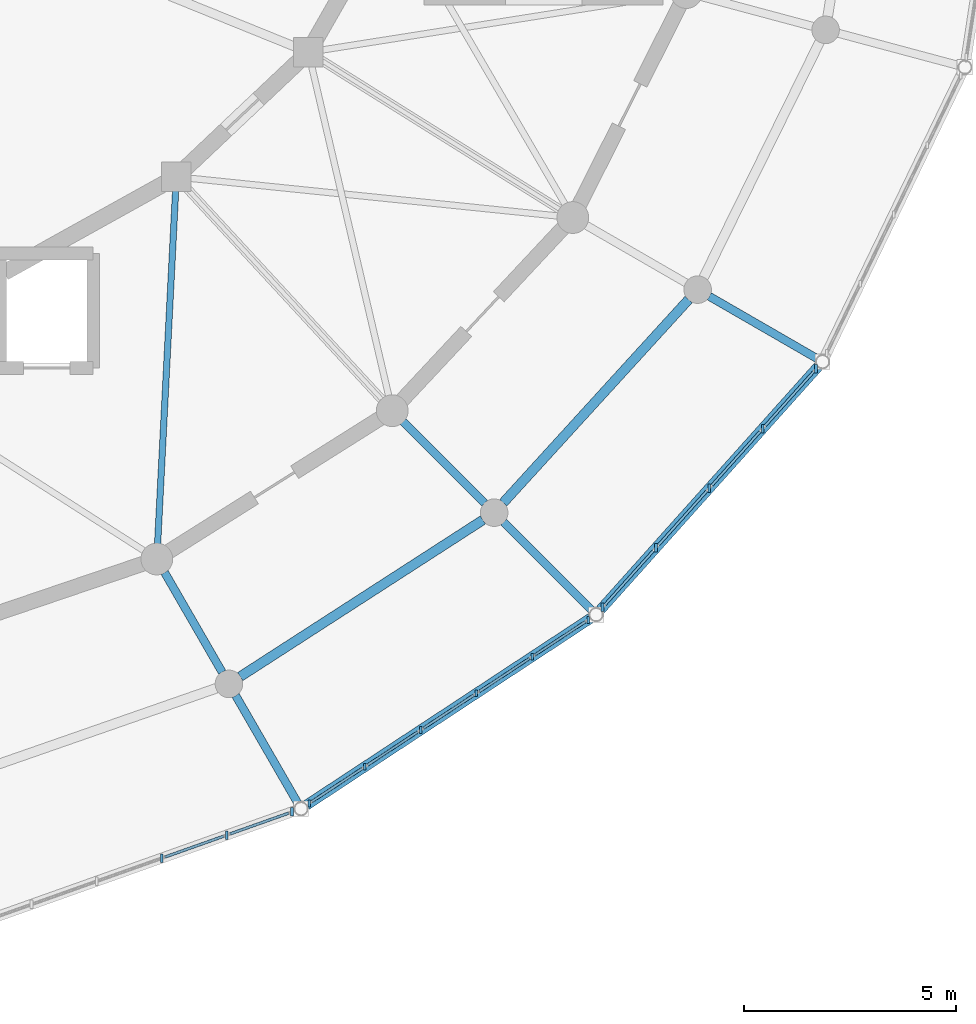
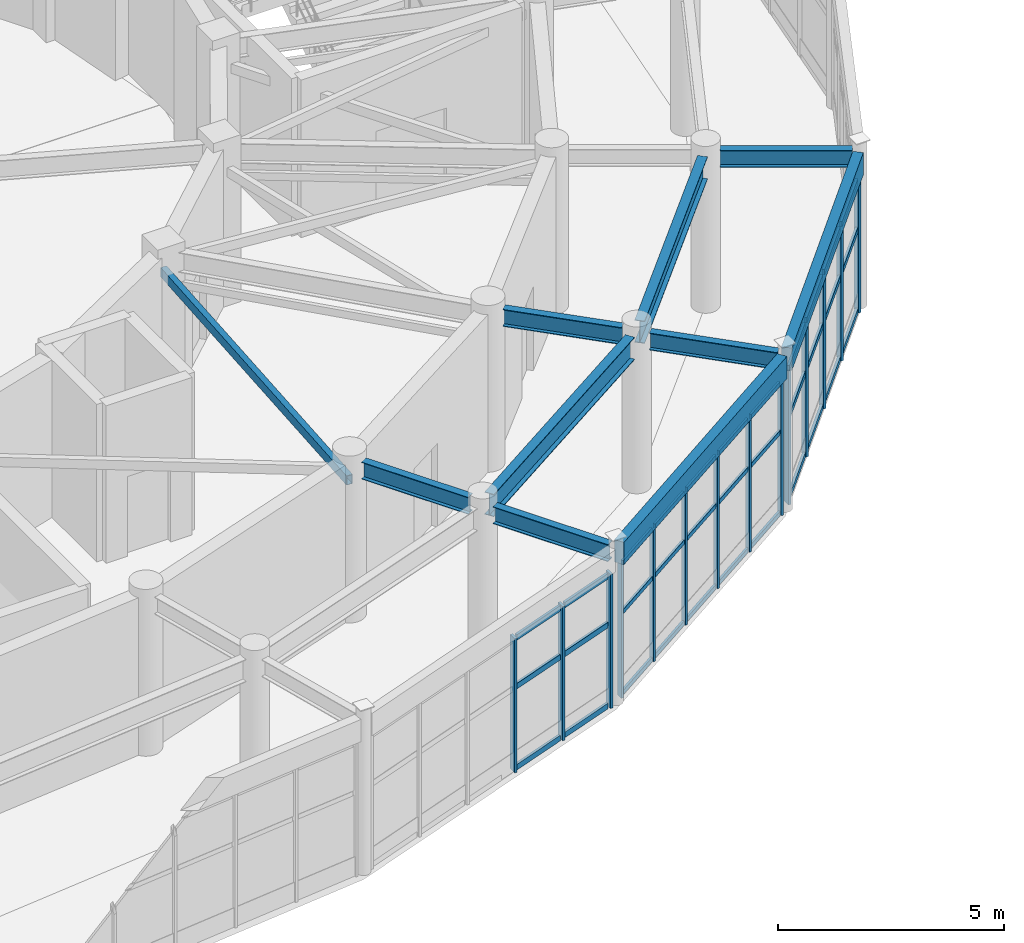
# One storey, part 26 of 60: 48 members, 9 beams, 3 elements without a shape of their own.
"""IFC4 building model written with IfcOpenShell, lengths in metres."""

from ifc_helpers import new_model, si_unit, direction, frame, origin, origin_2d, place, context, subcontext, project, spatial, rectangle, hollow_rectangle, i_section, extrude, material, material_profile, profile_set, type_object, element, aggregate, save


model = new_model("IFC4")

# Units and contexts
model_context = context("Model", 3, precision=1e-05, world=origin(), true_north=direction((0.0, 1.0)))
body_context = subcontext(model_context, "Body", "Model", "MODEL_VIEW")
ifc_project = project(units=[si_unit("LENGTHUNIT", "METRE"), si_unit("AREAUNIT", "SQUARE_METRE"), si_unit("VOLUMEUNIT", "CUBIC_METRE"), si_unit("PLANEANGLEUNIT", "RADIAN"), si_unit("MASSUNIT", "GRAM", prefix="KILO")], contexts=[model_context])

# Site, building, storey
site_placement = place(None, origin())
site = spatial("IfcSite", under=ifc_project, at=site_placement, CompositionType="ELEMENT")
building_placement = place(site_placement, origin())
building = spatial("IfcBuilding", under=site, at=building_placement, Name="Cinderbank Siding Concert Hall", CompositionType="ELEMENT")
storey_placement = place(building_placement, frame((0.0, 0.0, 14.699951171875)))
storey = spatial("IfcBuildingStorey", under=building, at=storey_placement, Name="L04", CompositionType="ELEMENT", Elevation=14.699951171875)

# Beams
ifc_material_1 = material(Name="Structural steel AS/NZS 3679.1 Grade 350 (340 MPa)", Category="steel")
ifc_material_profile_1 = material_profile(ifc_material_1, i_section(OverallWidth=0.19091796875, OverallDepth=0.46044921875, WebThickness=0.010009765625, FlangeThickness=0.01611328125, at=origin_2d()), Name="460UB82.1", Category="LoadBearing")
ifc_profile_set_1 = profile_set([ifc_material_profile_1], Name="Structural steel AS/NZS 3679.1 Grade 350 (340 MPa)")
beam_type_1 = type_object("IfcBeamType", Name="BM-UB460H 460UB82.1", PredefinedType="BEAM", material=ifc_profile_set_1)
beam_1_placement = place(storey_placement, frame((135.58349609375, 24.629638671875, 4.03173828125), z_axis=(0.499987022033, -0.866032896488, 0.0), x_axis=(0.866032896488, 0.499987022033, 0.0)))
element("IfcBeam", 1, at=beam_1_placement, inside=storey, type_object=beam_type_1, Name="L04 Beam BM-UB460H #730", PredefinedType="BEAM", context=body_context, shape_type="SweptSolid", body=[
    extrude(i_section(OverallWidth=0.19091796875, OverallDepth=0.46044921875, WebThickness=0.010009765625, FlangeThickness=0.01611328125, at=origin_2d()), origin(), (0.0, 0.0, 1.0), 2.7158203125),
])
beam_2_placement = place(storey_placement, frame((141.2099609375, 28.18408203125, 4.03173828125), z_axis=(0.707151723938, -0.707061835578, 0.0), x_axis=(0.707061835578, 0.707151723938, 0.0)))
element("IfcBeam", 2, at=beam_2_placement, inside=storey, type_object=beam_type_1, Name="L04 Beam BM-UB460H #731", PredefinedType="BEAM", context=body_context, shape_type="SweptSolid", body=[
    extrude(i_section(OverallWidth=0.19091796875, OverallDepth=0.46044921875, WebThickness=0.010009765625, FlangeThickness=0.01611328125, at=origin_2d()), origin(), (0.0, 0.0, 1.0), 2.716064453125),
])
for number, where, z_axis, x_axis, name in (
    (3, (137.258544921875, 21.728515625, 4.001953125), (0.499958157915, -0.866049559976, 0.0), (0.866049559976, 0.499958157915, 0.0), "L04 Beam BM-UB460H #755"),
    (4, (143.578857421875, 25.815185546875, 4.001953125), (0.707106781187, -0.707106781187, 0.0), (0.707106781187, 0.707106781187, 0.0), "L04 Beam BM-UB460H #756"),
):
    element("IfcBeam", number, at=place(storey_placement, frame(where, z_axis=z_axis, x_axis=x_axis)), inside=storey, type_object=beam_type_1, Name=name, PredefinedType="BEAM", context=body_context, shape_type="SweptSolid", body=[
        extrude(i_section(OverallWidth=0.19091796875, OverallDepth=0.46044921875, WebThickness=0.010009765625, FlangeThickness=0.01611328125, at=origin_2d()), origin(), (0.0, 0.0, 1.0), 2.928955078125),
    ])
beam_3_placement = place(storey_placement, frame((148.428466796875, 31.1416015625, 4.001953125), z_axis=(0.866013467834, -0.500020673103, 0.0), x_axis=(0.500020673103, 0.866013467834, 0.0)))
element("IfcBeam", 5, at=beam_3_placement, inside=storey, type_object=beam_type_1, Name="L04 Beam BM-UB460H #757", PredefinedType="BEAM", context=body_context, shape_type="SweptSolid", body=[
    extrude(i_section(OverallWidth=0.19091796875, OverallDepth=0.46044921875, WebThickness=0.010009765625, FlangeThickness=0.01611328125, at=origin_2d()), origin(), (0.0, 0.0, 1.0), 2.92919921875),
])
ifc_material_profile_2 = material_profile(ifc_material_1, i_section(OverallWidth=0.22802734375, OverallDepth=0.60693359375, WebThickness=0.01123046875, FlangeThickness=0.017333984375, at=origin_2d()), Name="610UB113", Category="LoadBearing")
ifc_profile_set_2 = profile_set([ifc_material_profile_2], Name="Structural steel AS/NZS 3679.1 Grade 350 (340 MPa)")
beam_type_2 = type_object("IfcBeamType", Name="BM-UB610M 610UB113", PredefinedType="BEAM", material=ifc_profile_set_2)
beam_4_placement = place(storey_placement, frame((137.3662109375, 22.1748046875, 3.928466796875), z_axis=(0.840219727246, 0.542246078775, 0.0), x_axis=(-0.542246078775, 0.840219727246, 0.0)))
element("IfcBeam", 6, at=beam_4_placement, inside=storey, type_object=beam_type_2, Name="L04 Beam BM-UB610M #672", PredefinedType="BEAM", context=body_context, shape_type="SweptSolid", body=[
    extrude(i_section(OverallWidth=0.22802734375, OverallDepth=0.60693359375, WebThickness=0.01123046875, FlangeThickness=0.017333984375, at=origin_2d()), origin(), (0.0, 0.0, 1.0), 6.810302734375),
])
beam_5_placement = place(storey_placement, frame((143.568359375, 26.273681640625, 3.928466796875), z_axis=(0.67395874418, 0.73876898361, 0.0), x_axis=(-0.73876898361, 0.67395874418, 0.0)))
element("IfcBeam", 7, at=beam_5_placement, inside=storey, type_object=beam_type_2, Name="L04 Beam BM-UB610M #673", PredefinedType="BEAM", context=body_context, shape_type="SweptSolid", body=[
    extrude(i_section(OverallWidth=0.22802734375, OverallDepth=0.60693359375, WebThickness=0.01123046875, FlangeThickness=0.017333984375, at=origin_2d()), origin(), (0.0, 0.0, 1.0), 6.48681640625),
])

# Curtain wall, members
ifc_material_2 = material(Name="Anodised aluminium alloy 6063-T6", Category="aluminium")
curtain_wall_type_1 = type_object("IfcCurtainWallType", Name="CW-09 Unitised Acoustic Curtain Wall 8000x3500", PredefinedType="NOTDEFINED", material=ifc_material_2)
curtain_wall_1_placement = place(storey_placement, origin())
curtain_wall_1 = element("IfcCurtainWall", 8, at=curtain_wall_1_placement, inside=storey, type_object=curtain_wall_type_1, Name="L04 Curtain Wall CW-09 #68", PredefinedType="NOTDEFINED")
ifc_material_profile_3 = material_profile(ifc_material_2, rectangle(XDim=0.06005859375, YDim=0.159912109375, at=origin_2d()), Name="ALU-MULL-60x160", Category="LoadBearing")
ifc_profile_set_3 = profile_set([ifc_material_profile_3], Name="Anodised aluminium alloy 6063-T6")
member_type_1 = type_object("IfcMemberType", Name="CW-ML1 Mullion 60x160", PredefinedType="MULLION", material=ifc_profile_set_3)
member_1_placement = place(storey_placement, frame((138.989501953125, 19.18310546875, 0.0), z_axis=(0.0, 0.0, 1.0), x_axis=(1.0, 0.0, 0.0)))
member_1 = element("IfcMember", 9, at=member_1_placement, type_object=member_type_1, Name="CW-L04-068 Mullion 0", PredefinedType="MULLION", context=body_context, shape_type="SweptSolid", body=[
    extrude(rectangle(XDim=0.06005859375, YDim=0.159912109375, at=origin_2d()), origin(), (0.0, 0.0, 1.0), 3.616943359375),
])
member_2_placement = place(storey_placement, frame((140.305419921875, 20.048583984375, 0.0), z_axis=(0.0, 0.0, 1.0), x_axis=(1.0, 0.0, 0.0)))
member_2 = element("IfcMember", 10, at=member_2_placement, type_object=member_type_1, Name="CW-L04-068 Mullion 1", PredefinedType="MULLION", context=body_context, shape_type="SweptSolid", body=[
    extrude(rectangle(XDim=0.06005859375, YDim=0.159912109375, at=origin_2d()), origin(), (0.0, 0.0, 1.0), 3.616943359375),
])
member_3_placement = place(storey_placement, frame((141.621337890625, 20.914306640625, 0.0), z_axis=(0.0, 0.0, 1.0), x_axis=(1.0, 0.0, 0.0)))
member_3 = element("IfcMember", 11, at=member_3_placement, type_object=member_type_1, Name="CW-L04-068 Mullion 2", PredefinedType="MULLION", context=body_context, shape_type="SweptSolid", body=[
    extrude(rectangle(XDim=0.06005859375, YDim=0.159912109375, at=origin_2d()), origin(), (0.0, 0.0, 1.0), 3.616943359375),
])
member_4_placement = place(storey_placement, frame((142.9375, 21.779541015625, 0.0), z_axis=(0.0, 0.0, 1.0), x_axis=(1.0, 0.0, 0.0)))
member_4 = element("IfcMember", 12, at=member_4_placement, type_object=member_type_1, Name="CW-L04-068 Mullion 3", PredefinedType="MULLION", context=body_context, shape_type="SweptSolid", body=[
    extrude(rectangle(XDim=0.06005859375, YDim=0.159912109375, at=origin_2d()), origin(), (0.0, 0.0, 1.0), 3.616943359375),
])
member_5_placement = place(storey_placement, frame((144.25341796875, 22.64501953125, 0.0), z_axis=(0.0, 0.0, 1.0), x_axis=(1.0, 0.0, 0.0)))
member_5 = element("IfcMember", 13, at=member_5_placement, type_object=member_type_1, Name="CW-L04-068 Mullion 4", PredefinedType="MULLION", context=body_context, shape_type="SweptSolid", body=[
    extrude(rectangle(XDim=0.06005859375, YDim=0.159912109375, at=origin_2d()), origin(), (0.0, 0.0, 1.0), 3.616943359375),
])
member_6_placement = place(storey_placement, frame((145.569091796875, 23.510498046875, 0.0), z_axis=(0.0, 0.0, 1.0), x_axis=(1.0, 0.0, 0.0)))
member_6 = element("IfcMember", 14, at=member_6_placement, type_object=member_type_1, Name="CW-L04-068 Mullion 5", PredefinedType="MULLION", context=body_context, shape_type="SweptSolid", body=[
    extrude(rectangle(XDim=0.06005859375, YDim=0.159912109375, at=origin_2d()), origin(), (0.0, 0.0, 1.0), 3.616943359375),
])

curtain_wall_type_2 = type_object("IfcCurtainWallType", Name="CW-08 Unitised Acoustic Curtain Wall 6400x3800", PredefinedType="NOTDEFINED", material=ifc_material_2)
curtain_wall_2_placement = place(storey_placement, origin())
curtain_wall_2 = element("IfcCurtainWall", 15, at=curtain_wall_2_placement, inside=storey, type_object=curtain_wall_type_2, Name="L04 Curtain Wall CW-08 #67", PredefinedType="NOTDEFINED")
ifc_material_profile_4 = material_profile(ifc_material_2, rectangle(XDim=0.06494140625, YDim=0.199951171875, at=origin_2d()), Name="ALU-MULL-65x200", Category="LoadBearing")
ifc_profile_set_4 = profile_set([ifc_material_profile_4], Name="Anodised aluminium alloy 6063-T6")
member_type_2 = type_object("IfcMemberType", Name="CW-ML2 Mullion 65x200", PredefinedType="MULLION", material=ifc_profile_set_4)
member_7_placement = place(storey_placement, frame((135.515625, 17.892333984375, 0.0), z_axis=(0.0, 0.0, 1.0), x_axis=(1.0, 0.0, 0.0)))
member_7 = element("IfcMember", 16, at=member_7_placement, type_object=member_type_2, Name="CW-L04-067 Mullion 3", PredefinedType="MULLION", context=body_context, shape_type="SweptSolid", body=[
    extrude(rectangle(XDim=0.06494140625, YDim=0.199951171875, at=origin_2d()), origin(), (0.0, 0.0, 1.0), 3.616943359375),
])
member_8_placement = place(storey_placement, frame((137.05078125, 18.4375, 0.0), z_axis=(0.0, 0.0, 1.0), x_axis=(1.0, 0.0, 0.0)))
member_8 = element("IfcMember", 17, at=member_8_placement, type_object=member_type_2, Name="CW-L04-067 Mullion 4", PredefinedType="MULLION", context=body_context, shape_type="SweptSolid", body=[
    extrude(rectangle(XDim=0.06494140625, YDim=0.199951171875, at=origin_2d()), origin(), (0.0, 0.0, 1.0), 3.616943359375),
])
member_9_placement = place(storey_placement, frame((138.586181640625, 18.982666015625, 0.0), z_axis=(0.0, 0.0, 1.0), x_axis=(1.0, 0.0, 0.0)))
member_9 = element("IfcMember", 18, at=member_9_placement, type_object=member_type_2, Name="CW-L04-067 Mullion 5", PredefinedType="MULLION", context=body_context, shape_type="SweptSolid", body=[
    extrude(rectangle(XDim=0.06494140625, YDim=0.199951171875, at=origin_2d()), origin(), (0.0, 0.0, 1.0), 3.616943359375),
])

curtain_wall_type_3 = type_object("IfcCurtainWallType", Name="CW-10 Unitised Acoustic Curtain Wall 7200x3500", PredefinedType="NOTDEFINED", material=ifc_material_2)
curtain_wall_3_placement = place(storey_placement, origin())
curtain_wall_3 = element("IfcCurtainWall", 19, at=curtain_wall_3_placement, inside=storey, type_object=curtain_wall_type_3, Name="L04 Curtain Wall CW-10 #69", PredefinedType="NOTDEFINED")
member_10_placement = place(storey_placement, frame((145.91015625, 23.804443359375, 0.0), z_axis=(0.0, 0.0, 1.0), x_axis=(1.0, 0.0, 0.0)))
member_10 = element("IfcMember", 20, at=member_10_placement, type_object=member_type_2, Name="CW-L04-069 Mullion 0", PredefinedType="MULLION", context=body_context, shape_type="SweptSolid", body=[
    extrude(rectangle(XDim=0.06494140625, YDim=0.199951171875, at=origin_2d()), origin(), (0.0, 0.0, 1.0), 3.616943359375),
])
member_11_placement = place(storey_placement, frame((147.16943359375, 25.2109375, 0.0), z_axis=(0.0, 0.0, 1.0), x_axis=(1.0, 0.0, 0.0)))
member_11 = element("IfcMember", 21, at=member_11_placement, type_object=member_type_2, Name="CW-L04-069 Mullion 1", PredefinedType="MULLION", context=body_context, shape_type="SweptSolid", body=[
    extrude(rectangle(XDim=0.06494140625, YDim=0.199951171875, at=origin_2d()), origin(), (0.0, 0.0, 1.0), 3.616943359375),
])
member_12_placement = place(storey_placement, frame((148.4287109375, 26.61767578125, 0.0), z_axis=(0.0, 0.0, 1.0), x_axis=(1.0, 0.0, 0.0)))
member_12 = element("IfcMember", 22, at=member_12_placement, type_object=member_type_2, Name="CW-L04-069 Mullion 2", PredefinedType="MULLION", context=body_context, shape_type="SweptSolid", body=[
    extrude(rectangle(XDim=0.06494140625, YDim=0.199951171875, at=origin_2d()), origin(), (0.0, 0.0, 1.0), 3.616943359375),
])
member_13_placement = place(storey_placement, frame((149.68798828125, 28.0244140625, 0.0), z_axis=(0.0, 0.0, 1.0), x_axis=(1.0, 0.0, 0.0)))
member_13 = element("IfcMember", 23, at=member_13_placement, type_object=member_type_2, Name="CW-L04-069 Mullion 3", PredefinedType="MULLION", context=body_context, shape_type="SweptSolid", body=[
    extrude(rectangle(XDim=0.06494140625, YDim=0.199951171875, at=origin_2d()), origin(), (0.0, 0.0, 1.0), 3.616943359375),
])
member_14_placement = place(storey_placement, frame((150.947021484375, 29.430908203125, 0.0), z_axis=(0.0, 0.0, 1.0), x_axis=(1.0, 0.0, 0.0)))
member_14 = element("IfcMember", 24, at=member_14_placement, type_object=member_type_2, Name="CW-L04-069 Mullion 4", PredefinedType="MULLION", context=body_context, shape_type="SweptSolid", body=[
    extrude(rectangle(XDim=0.06494140625, YDim=0.199951171875, at=origin_2d()), origin(), (0.0, 0.0, 1.0), 3.616943359375),
])

# Member
ifc_material_profile_5 = material_profile(ifc_material_2, rectangle(XDim=0.06005859375, YDim=0.1201171875, at=origin_2d()), Name="ALU-TRAN-60x120", Category="LoadBearing")
ifc_profile_set_5 = profile_set([ifc_material_profile_5], Name="Anodised aluminium alloy 6063-T6")
member_type_3 = type_object("IfcMemberType", Name="CW-TR1 Transom 60x120", PredefinedType="USERDEFINED", material=ifc_profile_set_5)
member_15_placement = place(storey_placement, frame((139.055419921875, 19.2265625, 0.06005859375), z_axis=(0.835531529407, 0.549442502331, 0.0), x_axis=(-0.549442502331, 0.835531529407, 0.0)))
member_15 = element("IfcMember", 25, at=member_15_placement, type_object=member_type_3, Name="CW-L04-068 Transom 0-0", ObjectType="TRANSOM", PredefinedType="USERDEFINED", context=body_context, shape_type="SweptSolid", body=[
    extrude(rectangle(XDim=0.06005859375, YDim=0.1201171875, at=origin_2d()), origin(), (0.0, 0.0, 1.0), 1.41748046875),
])

member_16_placement = place(storey_placement, frame((139.055419921875, 19.2265625, 2.242431640625), z_axis=(0.835531529407, 0.549442502331, 0.0), x_axis=(-0.549442502331, 0.835531529407, 0.0)))
member_16 = element("IfcMember", 26, at=member_16_placement, type_object=member_type_3, Name="CW-L04-068 Transom 0-1", ObjectType="TRANSOM", PredefinedType="USERDEFINED", context=body_context, shape_type="SweptSolid", body=[
    extrude(rectangle(XDim=0.06005859375, YDim=0.1201171875, at=origin_2d()), origin(), (0.0, 0.0, 1.0), 1.41748046875),
])

member_17_placement = place(storey_placement, frame((139.055419921875, 19.2265625, 3.55712890625), z_axis=(0.835531529407, 0.549442502331, 0.0), x_axis=(-0.549442502331, 0.835531529407, 0.0)))
member_17 = element("IfcMember", 27, at=member_17_placement, type_object=member_type_3, Name="CW-L04-068 Transom 0-2", ObjectType="TRANSOM", PredefinedType="USERDEFINED", context=body_context, shape_type="SweptSolid", body=[
    extrude(rectangle(XDim=0.06005859375, YDim=0.1201171875, at=origin_2d()), origin(), (0.0, 0.0, 1.0), 1.41748046875),
])

member_18_placement = place(storey_placement, frame((140.371337890625, 20.092041015625, 0.06005859375), z_axis=(0.835531529407, 0.549442502331, 0.0), x_axis=(-0.549442502331, 0.835531529407, 0.0)))
member_18 = element("IfcMember", 28, at=member_18_placement, type_object=member_type_3, Name="CW-L04-068 Transom 1-0", ObjectType="TRANSOM", PredefinedType="USERDEFINED", context=body_context, shape_type="SweptSolid", body=[
    extrude(rectangle(XDim=0.06005859375, YDim=0.1201171875, at=origin_2d()), origin(), (0.0, 0.0, 1.0), 1.41748046875),
])

member_19_placement = place(storey_placement, frame((140.371337890625, 20.092041015625, 2.242431640625), z_axis=(0.835531529407, 0.549442502331, 0.0), x_axis=(-0.549442502331, 0.835531529407, 0.0)))
member_19 = element("IfcMember", 29, at=member_19_placement, type_object=member_type_3, Name="CW-L04-068 Transom 1-1", ObjectType="TRANSOM", PredefinedType="USERDEFINED", context=body_context, shape_type="SweptSolid", body=[
    extrude(rectangle(XDim=0.06005859375, YDim=0.1201171875, at=origin_2d()), origin(), (0.0, 0.0, 1.0), 1.41748046875),
])

member_20_placement = place(storey_placement, frame((140.371337890625, 20.092041015625, 3.55712890625), z_axis=(0.835531529407, 0.549442502331, 0.0), x_axis=(-0.549442502331, 0.835531529407, 0.0)))
member_20 = element("IfcMember", 30, at=member_20_placement, type_object=member_type_3, Name="CW-L04-068 Transom 1-2", ObjectType="TRANSOM", PredefinedType="USERDEFINED", context=body_context, shape_type="SweptSolid", body=[
    extrude(rectangle(XDim=0.06005859375, YDim=0.1201171875, at=origin_2d()), origin(), (0.0, 0.0, 1.0), 1.41748046875),
])

member_21_placement = place(storey_placement, frame((141.687255859375, 20.95751953125, 0.06005859375), z_axis=(0.835531529407, 0.549442502331, 0.0), x_axis=(-0.549442502331, 0.835531529407, 0.0)))
member_21 = element("IfcMember", 31, at=member_21_placement, type_object=member_type_3, Name="CW-L04-068 Transom 2-0", ObjectType="TRANSOM", PredefinedType="USERDEFINED", context=body_context, shape_type="SweptSolid", body=[
    extrude(rectangle(XDim=0.06005859375, YDim=0.1201171875, at=origin_2d()), origin(), (0.0, 0.0, 1.0), 1.41748046875),
])

member_22_placement = place(storey_placement, frame((141.687255859375, 20.95751953125, 2.242431640625), z_axis=(0.835531529407, 0.549442502331, 0.0), x_axis=(-0.549442502331, 0.835531529407, 0.0)))
member_22 = element("IfcMember", 32, at=member_22_placement, type_object=member_type_3, Name="CW-L04-068 Transom 2-1", ObjectType="TRANSOM", PredefinedType="USERDEFINED", context=body_context, shape_type="SweptSolid", body=[
    extrude(rectangle(XDim=0.06005859375, YDim=0.1201171875, at=origin_2d()), origin(), (0.0, 0.0, 1.0), 1.41748046875),
])

member_23_placement = place(storey_placement, frame((141.687255859375, 20.95751953125, 3.55712890625), z_axis=(0.835531529407, 0.549442502331, 0.0), x_axis=(-0.549442502331, 0.835531529407, 0.0)))
member_23 = element("IfcMember", 33, at=member_23_placement, type_object=member_type_3, Name="CW-L04-068 Transom 2-2", ObjectType="TRANSOM", PredefinedType="USERDEFINED", context=body_context, shape_type="SweptSolid", body=[
    extrude(rectangle(XDim=0.06005859375, YDim=0.1201171875, at=origin_2d()), origin(), (0.0, 0.0, 1.0), 1.41748046875),
])

member_24_placement = place(storey_placement, frame((143.003173828125, 21.822998046875, 0.06005859375), z_axis=(0.835531529407, 0.549442502331, 0.0), x_axis=(-0.549442502331, 0.835531529407, 0.0)))
member_24 = element("IfcMember", 34, at=member_24_placement, type_object=member_type_3, Name="CW-L04-068 Transom 3-0", ObjectType="TRANSOM", PredefinedType="USERDEFINED", context=body_context, shape_type="SweptSolid", body=[
    extrude(rectangle(XDim=0.06005859375, YDim=0.1201171875, at=origin_2d()), origin(), (0.0, 0.0, 1.0), 1.41748046875),
])

member_25_placement = place(storey_placement, frame((143.003173828125, 21.822998046875, 2.242431640625), z_axis=(0.835531529407, 0.549442502331, 0.0), x_axis=(-0.549442502331, 0.835531529407, 0.0)))
member_25 = element("IfcMember", 35, at=member_25_placement, type_object=member_type_3, Name="CW-L04-068 Transom 3-1", ObjectType="TRANSOM", PredefinedType="USERDEFINED", context=body_context, shape_type="SweptSolid", body=[
    extrude(rectangle(XDim=0.06005859375, YDim=0.1201171875, at=origin_2d()), origin(), (0.0, 0.0, 1.0), 1.41748046875),
])

member_26_placement = place(storey_placement, frame((143.003173828125, 21.822998046875, 3.55712890625), z_axis=(0.835531529407, 0.549442502331, 0.0), x_axis=(-0.549442502331, 0.835531529407, 0.0)))
member_26 = element("IfcMember", 36, at=member_26_placement, type_object=member_type_3, Name="CW-L04-068 Transom 3-2", ObjectType="TRANSOM", PredefinedType="USERDEFINED", context=body_context, shape_type="SweptSolid", body=[
    extrude(rectangle(XDim=0.06005859375, YDim=0.1201171875, at=origin_2d()), origin(), (0.0, 0.0, 1.0), 1.41748046875),
])

member_27_placement = place(storey_placement, frame((144.319091796875, 22.6884765625, 0.06005859375), z_axis=(0.835531529407, 0.549442502331, 0.0), x_axis=(-0.549442502331, 0.835531529407, 0.0)))
member_27 = element("IfcMember", 37, at=member_27_placement, type_object=member_type_3, Name="CW-L04-068 Transom 4-0", ObjectType="TRANSOM", PredefinedType="USERDEFINED", context=body_context, shape_type="SweptSolid", body=[
    extrude(rectangle(XDim=0.06005859375, YDim=0.1201171875, at=origin_2d()), origin(), (0.0, 0.0, 1.0), 1.41748046875),
])

member_28_placement = place(storey_placement, frame((144.319091796875, 22.6884765625, 2.242431640625), z_axis=(0.835531529407, 0.549442502331, 0.0), x_axis=(-0.549442502331, 0.835531529407, 0.0)))
member_28 = element("IfcMember", 38, at=member_28_placement, type_object=member_type_3, Name="CW-L04-068 Transom 4-1", ObjectType="TRANSOM", PredefinedType="USERDEFINED", context=body_context, shape_type="SweptSolid", body=[
    extrude(rectangle(XDim=0.06005859375, YDim=0.1201171875, at=origin_2d()), origin(), (0.0, 0.0, 1.0), 1.41748046875),
])

member_29_placement = place(storey_placement, frame((144.319091796875, 22.6884765625, 3.55712890625), z_axis=(0.835531529407, 0.549442502331, 0.0), x_axis=(-0.549442502331, 0.835531529407, 0.0)))
member_29 = element("IfcMember", 39, at=member_29_placement, type_object=member_type_3, Name="CW-L04-068 Transom 4-2", ObjectType="TRANSOM", PredefinedType="USERDEFINED", context=body_context, shape_type="SweptSolid", body=[
    extrude(rectangle(XDim=0.06005859375, YDim=0.1201171875, at=origin_2d()), origin(), (0.0, 0.0, 1.0), 1.41748046875),
])

aggregate(curtain_wall_1, [member_1, member_2, member_3, member_4, member_5, member_6, member_15, member_16, member_17, member_18, member_19, member_20, member_21, member_22, member_23, member_24, member_25, member_26, member_27, member_28, member_29])

ifc_material_profile_6 = material_profile(ifc_material_2, rectangle(XDim=0.06494140625, YDim=0.14990234375, at=origin_2d()), Name="ALU-TRAN-65x150", Category="LoadBearing")
ifc_profile_set_6 = profile_set([ifc_material_profile_6], Name="Anodised aluminium alloy 6063-T6")
member_type_4 = type_object("IfcMemberType", Name="CW-TR2 Transom 65x150", PredefinedType="USERDEFINED", material=ifc_profile_set_6)
member_30_placement = place(storey_placement, frame((135.592529296875, 17.919677734375, 0.06005859375), z_axis=(0.942376945381, 0.334552974602, 0.0), x_axis=(-0.334552974602, 0.942376945381, 0.0)))
member_30 = element("IfcMember", 40, at=member_30_placement, type_object=member_type_4, Name="CW-L04-067 Transom 3-0", ObjectType="TRANSOM", PredefinedType="USERDEFINED", context=body_context, shape_type="SweptSolid", body=[
    extrude(rectangle(XDim=0.06494140625, YDim=0.14990234375, at=origin_2d()), origin(), (0.0, 0.0, 1.0), 1.466064453125),
])

member_31_placement = place(storey_placement, frame((135.592529296875, 17.919677734375, 2.242431640625), z_axis=(0.942376945381, 0.334552974602, 0.0), x_axis=(-0.334552974602, 0.942376945381, 0.0)))
member_31 = element("IfcMember", 41, at=member_31_placement, type_object=member_type_4, Name="CW-L04-067 Transom 3-1", ObjectType="TRANSOM", PredefinedType="USERDEFINED", context=body_context, shape_type="SweptSolid", body=[
    extrude(rectangle(XDim=0.06494140625, YDim=0.14990234375, at=origin_2d()), origin(), (0.0, 0.0, 1.0), 1.466064453125),
])

member_32_placement = place(storey_placement, frame((135.592529296875, 17.919677734375, 3.55712890625), z_axis=(0.942376945381, 0.334552974602, 0.0), x_axis=(-0.334552974602, 0.942376945381, 0.0)))
member_32 = element("IfcMember", 42, at=member_32_placement, type_object=member_type_4, Name="CW-L04-067 Transom 3-2", ObjectType="TRANSOM", PredefinedType="USERDEFINED", context=body_context, shape_type="SweptSolid", body=[
    extrude(rectangle(XDim=0.06494140625, YDim=0.14990234375, at=origin_2d()), origin(), (0.0, 0.0, 1.0), 1.466064453125),
])

member_33_placement = place(storey_placement, frame((137.127685546875, 18.46484375, 0.06005859375), z_axis=(0.942395579657, 0.334500480482, 0.0), x_axis=(-0.334500480482, 0.942395579657, 0.0)))
member_33 = element("IfcMember", 43, at=member_33_placement, type_object=member_type_4, Name="CW-L04-067 Transom 4-0", ObjectType="TRANSOM", PredefinedType="USERDEFINED", context=body_context, shape_type="SweptSolid", body=[
    extrude(rectangle(XDim=0.06494140625, YDim=0.14990234375, at=origin_2d()), origin(), (0.0, 0.0, 1.0), 1.46630859375),
])

member_34_placement = place(storey_placement, frame((137.127685546875, 18.46484375, 2.242431640625), z_axis=(0.942395579657, 0.334500480482, 0.0), x_axis=(-0.334500480482, 0.942395579657, 0.0)))
member_34 = element("IfcMember", 44, at=member_34_placement, type_object=member_type_4, Name="CW-L04-067 Transom 4-1", ObjectType="TRANSOM", PredefinedType="USERDEFINED", context=body_context, shape_type="SweptSolid", body=[
    extrude(rectangle(XDim=0.06494140625, YDim=0.14990234375, at=origin_2d()), origin(), (0.0, 0.0, 1.0), 1.46630859375),
])

member_35_placement = place(storey_placement, frame((137.127685546875, 18.46484375, 3.55712890625), z_axis=(0.942395579657, 0.334500480482, 0.0), x_axis=(-0.334500480482, 0.942395579657, 0.0)))
member_35 = element("IfcMember", 45, at=member_35_placement, type_object=member_type_4, Name="CW-L04-067 Transom 4-2", ObjectType="TRANSOM", PredefinedType="USERDEFINED", context=body_context, shape_type="SweptSolid", body=[
    extrude(rectangle(XDim=0.06494140625, YDim=0.14990234375, at=origin_2d()), origin(), (0.0, 0.0, 1.0), 1.46630859375),
])

aggregate(curtain_wall_2, [member_7, member_8, member_9, member_30, member_31, member_32, member_33, member_34, member_35])

member_36_placement = place(storey_placement, frame((145.97314453125, 23.874755859375, 0.06005859375), z_axis=(0.667017441515, 0.745042101304, 0.0), x_axis=(-0.745042101304, 0.667017441515, 0.0)))
member_36 = element("IfcMember", 46, at=member_36_placement, type_object=member_type_4, Name="CW-L04-069 Transom 0-0", ObjectType="TRANSOM", PredefinedType="USERDEFINED", context=body_context, shape_type="SweptSolid", body=[
    extrude(rectangle(XDim=0.06494140625, YDim=0.14990234375, at=origin_2d()), origin(), (0.0, 0.0, 1.0), 1.698974609375),
])

member_37_placement = place(storey_placement, frame((145.97314453125, 23.874755859375, 2.242431640625), z_axis=(0.667017441515, 0.745042101304, 0.0), x_axis=(-0.745042101304, 0.667017441515, 0.0)))
member_37 = element("IfcMember", 47, at=member_37_placement, type_object=member_type_4, Name="CW-L04-069 Transom 0-1", ObjectType="TRANSOM", PredefinedType="USERDEFINED", context=body_context, shape_type="SweptSolid", body=[
    extrude(rectangle(XDim=0.06494140625, YDim=0.14990234375, at=origin_2d()), origin(), (0.0, 0.0, 1.0), 1.698974609375),
])

member_38_placement = place(storey_placement, frame((145.97314453125, 23.874755859375, 3.55712890625), z_axis=(0.667017441515, 0.745042101304, 0.0), x_axis=(-0.745042101304, 0.667017441515, 0.0)))
member_38 = element("IfcMember", 48, at=member_38_placement, type_object=member_type_4, Name="CW-L04-069 Transom 0-2", ObjectType="TRANSOM", PredefinedType="USERDEFINED", context=body_context, shape_type="SweptSolid", body=[
    extrude(rectangle(XDim=0.06494140625, YDim=0.14990234375, at=origin_2d()), origin(), (0.0, 0.0, 1.0), 1.698974609375),
])

member_39_placement = place(storey_placement, frame((147.232421875, 25.281494140625, 0.06005859375), z_axis=(0.667017441515, 0.745042101304, 0.0), x_axis=(-0.745042101304, 0.667017441515, 0.0)))
member_39 = element("IfcMember", 49, at=member_39_placement, type_object=member_type_4, Name="CW-L04-069 Transom 1-0", ObjectType="TRANSOM", PredefinedType="USERDEFINED", context=body_context, shape_type="SweptSolid", body=[
    extrude(rectangle(XDim=0.06494140625, YDim=0.14990234375, at=origin_2d()), origin(), (0.0, 0.0, 1.0), 1.698974609375),
])

member_40_placement = place(storey_placement, frame((147.232421875, 25.281494140625, 2.242431640625), z_axis=(0.667017441515, 0.745042101304, 0.0), x_axis=(-0.745042101304, 0.667017441515, 0.0)))
member_40 = element("IfcMember", 50, at=member_40_placement, type_object=member_type_4, Name="CW-L04-069 Transom 1-1", ObjectType="TRANSOM", PredefinedType="USERDEFINED", context=body_context, shape_type="SweptSolid", body=[
    extrude(rectangle(XDim=0.06494140625, YDim=0.14990234375, at=origin_2d()), origin(), (0.0, 0.0, 1.0), 1.698974609375),
])

member_41_placement = place(storey_placement, frame((147.232421875, 25.281494140625, 3.55712890625), z_axis=(0.667017441515, 0.745042101304, 0.0), x_axis=(-0.745042101304, 0.667017441515, 0.0)))
member_41 = element("IfcMember", 51, at=member_41_placement, type_object=member_type_4, Name="CW-L04-069 Transom 1-2", ObjectType="TRANSOM", PredefinedType="USERDEFINED", context=body_context, shape_type="SweptSolid", body=[
    extrude(rectangle(XDim=0.06494140625, YDim=0.14990234375, at=origin_2d()), origin(), (0.0, 0.0, 1.0), 1.698974609375),
])

member_42_placement = place(storey_placement, frame((148.49169921875, 26.68798828125, 0.06005859375), z_axis=(0.667017441515, 0.745042101304, 0.0), x_axis=(-0.745042101304, 0.667017441515, 0.0)))
member_42 = element("IfcMember", 52, at=member_42_placement, type_object=member_type_4, Name="CW-L04-069 Transom 2-0", ObjectType="TRANSOM", PredefinedType="USERDEFINED", context=body_context, shape_type="SweptSolid", body=[
    extrude(rectangle(XDim=0.06494140625, YDim=0.14990234375, at=origin_2d()), origin(), (0.0, 0.0, 1.0), 1.698974609375),
])

member_43_placement = place(storey_placement, frame((148.49169921875, 26.68798828125, 2.242431640625), z_axis=(0.667017441515, 0.745042101304, 0.0), x_axis=(-0.745042101304, 0.667017441515, 0.0)))
member_43 = element("IfcMember", 53, at=member_43_placement, type_object=member_type_4, Name="CW-L04-069 Transom 2-1", ObjectType="TRANSOM", PredefinedType="USERDEFINED", context=body_context, shape_type="SweptSolid", body=[
    extrude(rectangle(XDim=0.06494140625, YDim=0.14990234375, at=origin_2d()), origin(), (0.0, 0.0, 1.0), 1.698974609375),
])

member_44_placement = place(storey_placement, frame((148.49169921875, 26.68798828125, 3.55712890625), z_axis=(0.667017441515, 0.745042101304, 0.0), x_axis=(-0.745042101304, 0.667017441515, 0.0)))
member_44 = element("IfcMember", 54, at=member_44_placement, type_object=member_type_4, Name="CW-L04-069 Transom 2-2", ObjectType="TRANSOM", PredefinedType="USERDEFINED", context=body_context, shape_type="SweptSolid", body=[
    extrude(rectangle(XDim=0.06494140625, YDim=0.14990234375, at=origin_2d()), origin(), (0.0, 0.0, 1.0), 1.698974609375),
])

member_45_placement = place(storey_placement, frame((149.750732421875, 28.094482421875, 0.06005859375), z_axis=(0.667025792822, 0.745034624504, 0.0), x_axis=(-0.745034624504, 0.667025792822, 0.0)))
member_45 = element("IfcMember", 55, at=member_45_placement, type_object=member_type_4, Name="CW-L04-069 Transom 3-0", ObjectType="TRANSOM", PredefinedType="USERDEFINED", context=body_context, shape_type="SweptSolid", body=[
    extrude(rectangle(XDim=0.06494140625, YDim=0.14990234375, at=origin_2d()), origin(), (0.0, 0.0, 1.0), 1.699462890625),
])

member_46_placement = place(storey_placement, frame((149.750732421875, 28.094482421875, 2.242431640625), z_axis=(0.667025792822, 0.745034624504, 0.0), x_axis=(-0.745034624504, 0.667025792822, 0.0)))
member_46 = element("IfcMember", 56, at=member_46_placement, type_object=member_type_4, Name="CW-L04-069 Transom 3-1", ObjectType="TRANSOM", PredefinedType="USERDEFINED", context=body_context, shape_type="SweptSolid", body=[
    extrude(rectangle(XDim=0.06494140625, YDim=0.14990234375, at=origin_2d()), origin(), (0.0, 0.0, 1.0), 1.699462890625),
])

member_47_placement = place(storey_placement, frame((149.750732421875, 28.094482421875, 3.55712890625), z_axis=(0.667025792822, 0.745034624504, 0.0), x_axis=(-0.745034624504, 0.667025792822, 0.0)))
member_47 = element("IfcMember", 57, at=member_47_placement, type_object=member_type_4, Name="CW-L04-069 Transom 3-2", ObjectType="TRANSOM", PredefinedType="USERDEFINED", context=body_context, shape_type="SweptSolid", body=[
    extrude(rectangle(XDim=0.06494140625, YDim=0.14990234375, at=origin_2d()), origin(), (0.0, 0.0, 1.0), 1.699462890625),
])

aggregate(curtain_wall_3, [member_10, member_11, member_12, member_13, member_14, member_36, member_37, member_38, member_39, member_40, member_41, member_42, member_43, member_44, member_45, member_46, member_47])

# Beams
ifc_material_3 = material(Name="Spotted gum glulam timber GL18 (42 MPa)", Category="wood")
ifc_material_profile_7 = material_profile(ifc_material_3, rectangle(XDim=0.239990234375, YDim=0.60009765625, at=origin_2d()), Name="GL18-240x600", Category="LoadBearing")
ifc_profile_set_7 = profile_set([ifc_material_profile_7], Name="Spotted gum glulam timber GL18 (42 MPa)")
beam_type_3 = type_object("IfcBeamType", Name="SP-GL600 GL18-240x600", PredefinedType="SPANDREL", material=ifc_profile_set_7)
beam_6_placement = place(storey_placement, frame((138.9287109375, 19.14306640625, 3.93212890625), z_axis=(0.835480702777, 0.549519786074, 0.0), x_axis=(-0.549519786074, 0.835480702777, 0.0)))
element("IfcBeam", 58, at=beam_6_placement, inside=storey, type_object=beam_type_3, Name="L04 Beam SP-GL600 #696", PredefinedType="SPANDREL", context=body_context, shape_type="SweptSolid", body=[
    extrude(rectangle(XDim=0.239990234375, YDim=0.60009765625, at=origin_2d()), origin(), (0.0, 0.0, 1.0), 8.02099609375),
])
beam_7_placement = place(storey_placement, frame((145.861572265625, 23.75, 3.93212890625), z_axis=(0.666985816213, 0.745070413432, 0.0), x_axis=(-0.745070413432, 0.666985816213, 0.0)))
element("IfcBeam", 59, at=beam_7_placement, inside=storey, type_object=beam_type_3, Name="L04 Beam SP-GL600 #697", PredefinedType="SPANDREL", context=body_context, shape_type="SweptSolid", body=[
    extrude(rectangle(XDim=0.239990234375, YDim=0.60009765625, at=origin_2d()), origin(), (0.0, 0.0, 1.0), 7.69775390625),
])

# Member
ifc_material_4 = material(Name="Structural steel hollow section AS/NZS 1163 Grade C350L0 (350 MPa)", Category="steel")
ifc_material_profile_8 = material_profile(ifc_material_4, hollow_rectangle(XDim=0.14990234375, YDim=0.25, WallThickness=0.009033203125, at=origin_2d()), Name="250x150x9.0RHS", Category="LoadBearing")
ifc_profile_set_8 = profile_set([ifc_material_profile_8], Name="Structural steel hollow section AS/NZS 1163 Grade C350L0 (350 MPa)")
member_type_5 = type_object("IfcMemberType", Name="TR-RHS250 250x150x9.0RHS Roof Truss", PredefinedType="RAFTER", material=ifc_profile_set_8)
member_48_placement = place(storey_placement, frame((135.859375, 33.958984375, 3.60009765625), z_axis=(-0.050921362661, -0.998702665874, 0.0), x_axis=(0.998702665874, -0.050921362661, 0.0)))
element("IfcMember", 60, at=member_48_placement, inside=storey, type_object=member_type_5, Name="L04 Roof Truss Member TR-RHS250 #2292", PredefinedType="RAFTER", context=body_context, shape_type="SweptSolid", body=[
    extrude(hollow_rectangle(XDim=0.14990234375, YDim=0.25, WallThickness=0.009033203125, at=origin_2d()), origin(), (0.0, 0.0, 1.0), 9.023193359375),
])

save(model, "model.ifc")
